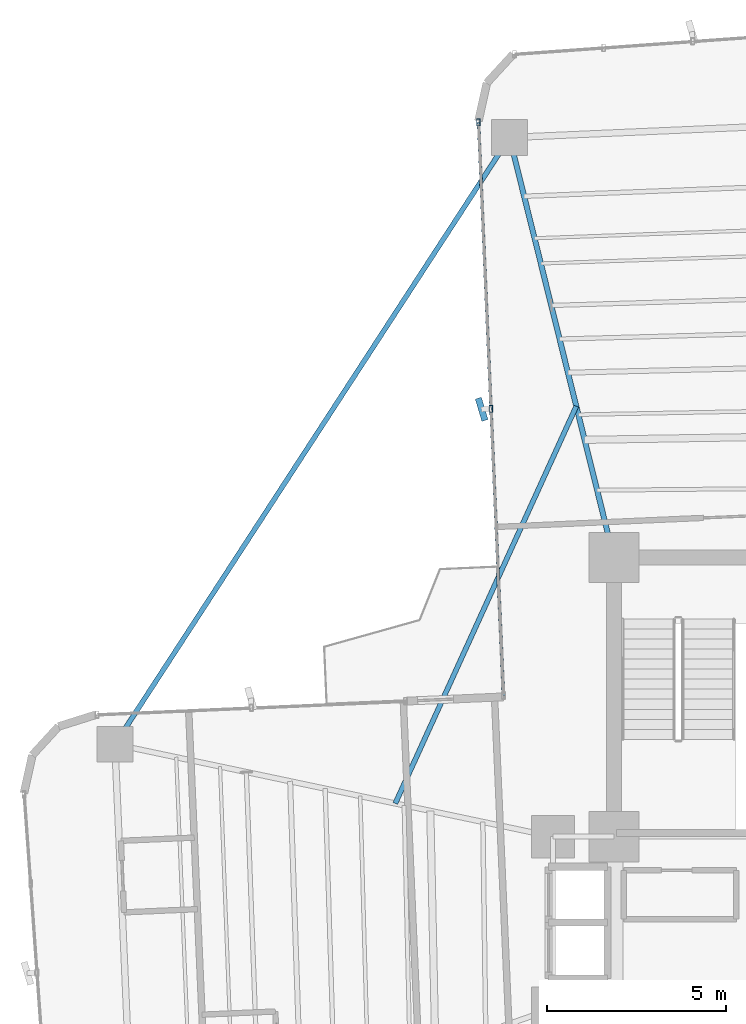
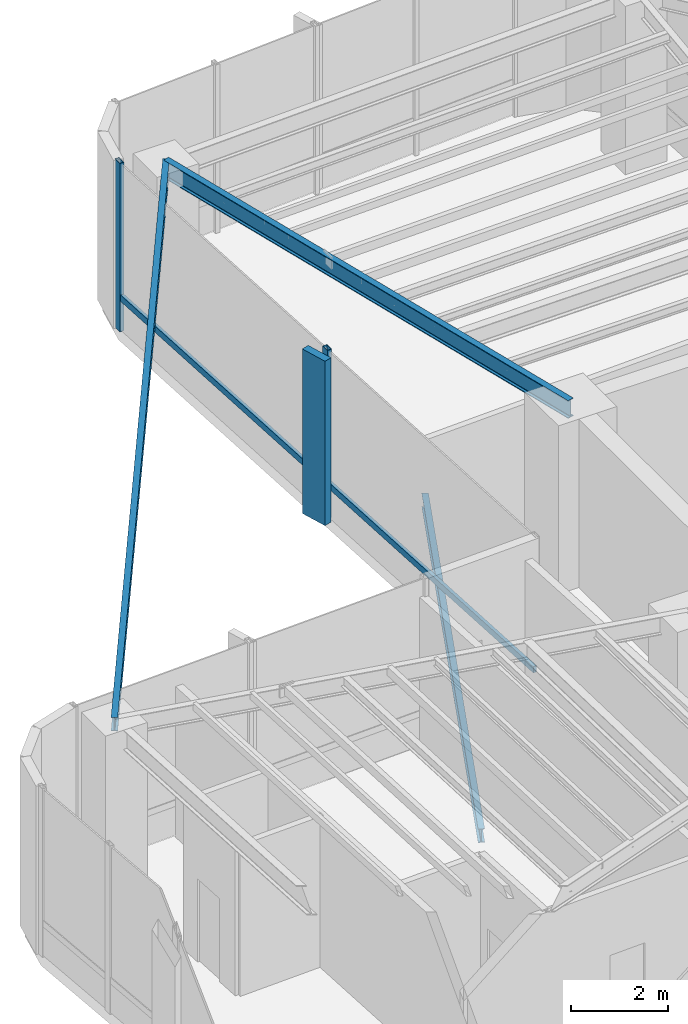
# One storey, part 10 of 23: 5 members, 3 beams, 1 element without a shape of its own.
"""IFC4 building model written with IfcOpenShell, lengths in metres."""

from ifc_helpers import new_model, si_unit, direction, frame, origin, origin_2d, place, context, subcontext, project, spatial, rectangle, hollow_rectangle, i_section, extrude, source, transform, mapped, material, material_profile, profile_set, type_object, element, aggregate, save


model = new_model("IFC4")

# Units and contexts
model_context = context("Model", 3, precision=1e-05, world=origin(), true_north=direction((0.0, 1.0)))
body_context = subcontext(model_context, "Body", "Model", "MODEL_VIEW")
ifc_project = project(units=[si_unit("LENGTHUNIT", "METRE"), si_unit("AREAUNIT", "SQUARE_METRE"), si_unit("VOLUMEUNIT", "CUBIC_METRE"), si_unit("PLANEANGLEUNIT", "RADIAN"), si_unit("MASSUNIT", "GRAM", prefix="KILO")], contexts=[model_context])

# Site, building, storey
site_placement = place(None, origin())
site = spatial("IfcSite", under=ifc_project, at=site_placement, CompositionType="ELEMENT")
building_placement = place(site_placement, origin())
building = spatial("IfcBuilding", under=site, at=building_placement, Name="Sahyath Konkavel Grand Hotel", CompositionType="ELEMENT")
storey_placement = place(building_placement, frame((0.0, 0.0, 106.949951171875)))
storey = spatial("IfcBuildingStorey", under=building, at=storey_placement, Name="L29", CompositionType="ELEMENT", Elevation=106.949951171875)

# Beams
ifc_material_1 = material(Name="Steel E350", Category="steel")
ifc_material_profile_1 = material_profile(ifc_material_1, i_section(OverallWidth=0.14990234375, OverallDepth=0.449951171875, WebThickness=0.009521484375, FlangeThickness=0.017333984375, FilletRadius=0.014892578125, at=origin_2d()), Name="ISMB 450")
ifc_profile_set_1 = profile_set([ifc_material_profile_1], Name="Steel E350")
beam_type_1 = type_object("IfcBeamType", Name="BM-ISMB450", PredefinedType="BEAM", material=ifc_profile_set_1)
shared_shape_1 = source(origin(), body_context, "Body", "SweptSolid", [
    extrude(i_section(OverallWidth=0.14990234375, OverallDepth=0.449951171875, WebThickness=0.009521484375, FlangeThickness=0.017333984375, FilletRadius=0.014892578125, at=origin_2d()), origin(), (0.0, 0.0, 1.0), 12.084228515625),
])
beam_1_placement = place(storey_placement, frame((-3.800048828125, 10.199951171875, 4.03515625), z_axis=(-0.241042688481, 0.970514514229, 0.0), x_axis=(-0.970514514229, -0.241042688481, 0.0)))
element("IfcBeam", 1, at=beam_1_placement, inside=storey, type_object=beam_type_1, Name="L29 Cruciform Radial Girder NB", PredefinedType="BEAM", context=body_context, shape_type="MappedRepresentation", body=[
    mapped(shared_shape_1, transform((0.0, 0.0, 0.0), scale=1.0)),
])
ifc_material_profile_2 = material_profile(ifc_material_1, i_section(OverallWidth=0.139892578125, OverallDepth=0.35009765625, WebThickness=0.008056640625, FlangeThickness=0.01416015625, FilletRadius=0.013916015625, at=origin_2d()), Name="ISMB 350")
ifc_profile_set_2 = profile_set([ifc_material_profile_2], Name="Steel E350")
beam_type_2 = type_object("IfcBeamType", Name="BM-ISMB350", PredefinedType="BEAM", material=ifc_profile_set_2)
shared_shape_2 = source(origin(), body_context, "Body", "SweptSolid", [
    extrude(i_section(OverallWidth=0.139892578125, OverallDepth=0.35009765625, WebThickness=0.008056640625, FlangeThickness=0.01416015625, FilletRadius=0.013916015625, at=origin_2d()), origin(), (0.0, 0.0, 1.0), 20.21533203125),
])
beam_2_placement = place(storey_placement, frame((-6.712890625, 21.927978515625, 4.0849609375), z_axis=(-0.545191244931, -0.838311700056, 0.0), x_axis=(0.838311700056, -0.545191244931, 0.0)))
element("IfcBeam", 2, at=beam_2_placement, inside=storey, type_object=beam_type_2, Name="L29 Re-Entrant Tie Beam NW", PredefinedType="BEAM", context=body_context, shape_type="MappedRepresentation", body=[
    mapped(shared_shape_2, transform((0.0, 0.0, 0.0), scale=1.0)),
])

# Curtain wall, members
ifc_material_2 = material(Name="Anodised Bronze Aluminium & Low-E Glazing", Category="aluminium")
curtain_wall_type = type_object("IfcCurtainWallType", Name="CW-SKYLOBBY", PredefinedType="NOTDEFINED", material=ifc_material_2)
curtain_wall_placement = place(storey_placement, origin())
curtain_wall = element("IfcCurtainWall", 3, at=curtain_wall_placement, inside=storey, type_object=curtain_wall_type, Name="L29 Unitised Curtain Wall F15", PredefinedType="NOTDEFINED")
ifc_material_3 = material(Name="Anodised Bronze Aluminium", Category="aluminium")
ifc_material_profile_3 = material_profile(ifc_material_3, hollow_rectangle(XDim=0.10009765625, YDim=0.199951171875, WallThickness=0.008056640625, at=origin_2d()), Name="RHS 200x100x8")
ifc_profile_set_3 = profile_set([ifc_material_profile_3], Name="Anodised Bronze Aluminium")
member_type_1 = type_object("IfcMemberType", Name="CW-MUL-200", PredefinedType="MULLION", material=ifc_profile_set_3)
shared_shape_3 = source(origin(), body_context, "Body", "SweptSolid", [
    extrude(hollow_rectangle(XDim=0.10009765625, YDim=0.199951171875, WallThickness=0.008056640625, at=origin_2d()), origin(), (0.0, 0.0, 1.0), 4.260009765625),
])
member_1_placement = place(storey_placement, frame((-7.582275390625, 22.3505859375, 0.0), z_axis=(0.0, 0.0, 1.0), x_axis=(1.0, 0.0, 0.0)))
member_1 = element("IfcMember", 4, at=member_1_placement, type_object=member_type_1, Name="L29 Curtain Wall Mullion F15-0", PredefinedType="MULLION", context=body_context, shape_type="MappedRepresentation", body=[
    mapped(shared_shape_3, transform((0.0, 0.0, 0.0), scale=1.0)),
])
member_2_placement = place(storey_placement, frame((-7.232666015625, 14.34814453125, 0.0), z_axis=(0.0, 0.0, 1.0), x_axis=(1.0, 0.0, 0.0)))
member_2 = element("IfcMember", 5, at=member_2_placement, type_object=member_type_1, Name="L29 Curtain Wall Mullion F15-1", PredefinedType="MULLION", context=body_context, shape_type="MappedRepresentation", body=[
    mapped(shared_shape_3, transform((0.0, 0.0, 0.0), scale=1.0)),
])
ifc_material_4 = material(Name="Warm Buff Sandstone Cladding on Concrete C50/60", Category="masonry")
ifc_material_profile_4 = material_profile(ifc_material_4, rectangle(XDim=0.179931640625, YDim=0.64990234375, at=origin_2d()), Name="FIN 180x650")
ifc_profile_set_4 = profile_set([ifc_material_profile_4], Name="Warm Buff Sandstone Cladding on Concrete C50/60")
member_type_2 = type_object("IfcMemberType", Name="FIN-SANDSTONE-650", PredefinedType="MULLION", material=ifc_profile_set_4)
shared_shape_4 = source(origin(), body_context, "Body", "SweptSolid", [
    extrude(rectangle(XDim=0.179931640625, YDim=0.64990234375, at=origin_2d()), origin(), (0.0, 0.0, 1.0), 4.159912109375),
])
member_3_placement = place(storey_placement, frame((-7.492431640625, 14.3369140625, 0.050048828125), z_axis=(0.0, 0.0, 1.0), x_axis=(0.958720536398, 0.28435001862, 0.0)))
member_3 = element("IfcMember", 6, at=member_3_placement, type_object=member_type_2, Name="L29 Sandstone Vertical Solar Fin FIN F15-1", PredefinedType="MULLION", context=body_context, shape_type="MappedRepresentation", body=[
    mapped(shared_shape_4, transform((0.0, 0.0, 0.0), scale=1.0)),
])
ifc_material_profile_5 = material_profile(ifc_material_3, hollow_rectangle(XDim=0.080078125, YDim=0.159912109375, WallThickness=0.006103515625, at=origin_2d()), Name="RHS 160x80x6")
ifc_profile_set_5 = profile_set([ifc_material_profile_5], Name="Anodised Bronze Aluminium")
member_type_3 = type_object("IfcMemberType", Name="CW-TRN-160", PredefinedType="USERDEFINED", material=ifc_profile_set_5)
shared_shape_5 = source(origin(), body_context, "Body", "SweptSolid", [
    extrude(hollow_rectangle(XDim=0.080078125, YDim=0.159912109375, WallThickness=0.006103515625, at=origin_2d()), origin(), (0.0, 0.0, 1.0), 8.010009765625),
])
member_4_placement = place(storey_placement, frame((-7.582275390625, 22.3505859375, 0.85009765625), z_axis=(0.043646207089, -0.999047050247, 0.0), x_axis=(0.999047050247, 0.043646207089, 0.0)))
member_4 = element("IfcMember", 7, at=member_4_placement, type_object=member_type_3, Name="L29 Curtain Wall Transom F15-0-spandrel", ObjectType="TRANSOM", PredefinedType="USERDEFINED", context=body_context, shape_type="MappedRepresentation", body=[
    mapped(shared_shape_5, transform((0.0, 0.0, 0.0), scale=1.0)),
])
member_5_placement = place(storey_placement, frame((-7.232666015625, 14.34814453125, 0.85009765625), z_axis=(0.043615785896, -0.999048378819, 0.0), x_axis=(0.999048378819, 0.043615785896, 0.0)))
member_5 = element("IfcMember", 8, at=member_5_placement, type_object=member_type_3, Name="L29 Curtain Wall Transom F15-1-spandrel", ObjectType="TRANSOM", PredefinedType="USERDEFINED", context=body_context, shape_type="MappedRepresentation", body=[
    mapped(shared_shape_5, transform((0.0, 0.0, 0.0), scale=1.0)),
])
aggregate(curtain_wall, [member_1, member_2, member_3, member_4, member_5])

# Beam
ifc_material_profile_6 = material_profile(ifc_material_1, i_section(OverallWidth=0.139892578125, OverallDepth=0.35009765625, WebThickness=0.008056640625, FlangeThickness=0.01416015625, FilletRadius=0.013916015625, at=origin_2d()), Name="ISMB 350")
ifc_profile_set_6 = profile_set([ifc_material_profile_6], Name="Steel E350")
beam_type_3 = type_object("IfcBeamType", Name="BM-BALC-CANT", PredefinedType="BEAM", material=ifc_profile_set_6)
shared_shape_6 = source(origin(), body_context, "Body", "SweptSolid", [
    extrude(i_section(OverallWidth=0.139892578125, OverallDepth=0.35009765625, WebThickness=0.008056640625, FlangeThickness=0.01416015625, FilletRadius=0.013916015625, at=origin_2d()), origin(), (0.0, 0.0, 1.0), 12.190673828125),
])
beam_3_placement = place(storey_placement, frame((-4.8486328125, 14.422119140625, -0.474853515625), z_axis=(-0.414712580086, -0.909952458054, 0.0), x_axis=(0.909952458054, -0.414712580086, 0.0)))
element("IfcBeam", 9, at=beam_3_placement, inside=storey, type_object=beam_type_3, Name="L29 Balcony Cantilever Support Beam NW", PredefinedType="BEAM", context=body_context, shape_type="MappedRepresentation", body=[
    mapped(shared_shape_6, transform((0.0, 0.0, 0.0), scale=1.0)),
])

save(model, "model.ifc")
